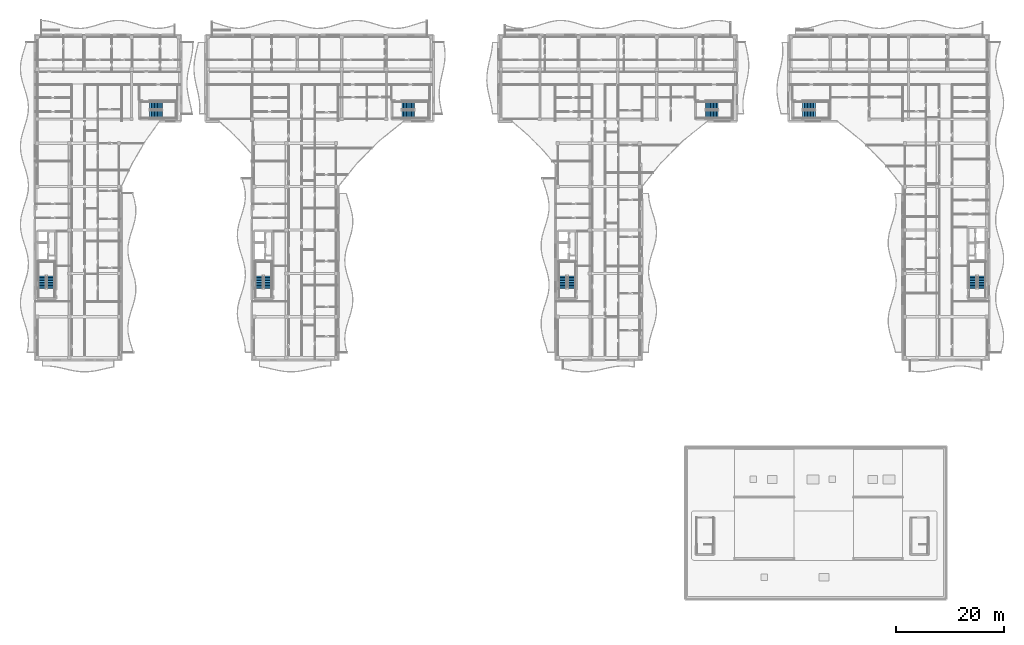
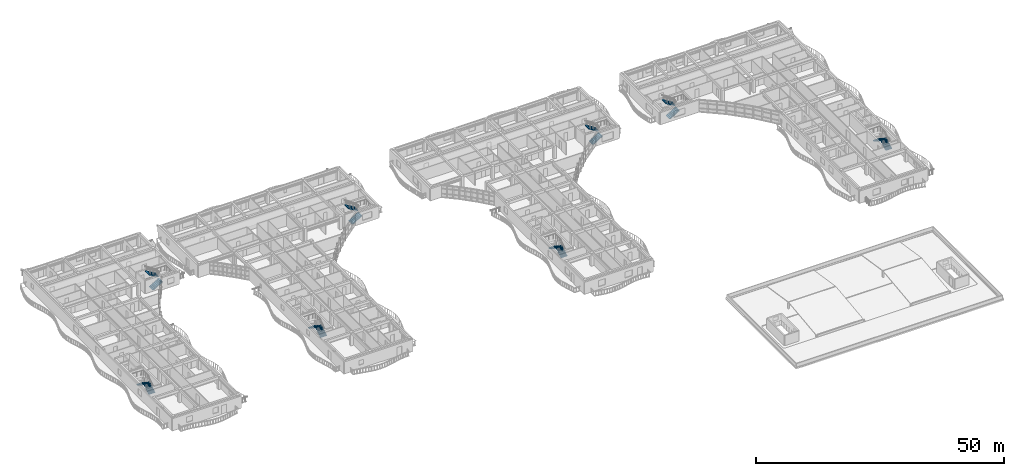
# One storey, part 55 of 79: 16 stair flights, 8 elements without a shape of their own.
"""IFC4 building model written with IfcOpenShell, lengths in metres."""

from ifc_helpers import new_model, si_unit, direction, frame, origin, place, context, subcontext, project, spatial, polyline, outline, extrude, material, type_object, element, aggregate, save


model = new_model("IFC4")

# Units and contexts
model_context = context("Model", 3, precision=1e-05, world=origin(), true_north=direction((0.0, 1.0)))
body_context = subcontext(model_context, "Body", "Model", "MODEL_VIEW")
ifc_project = project(units=[si_unit("LENGTHUNIT", "METRE"), si_unit("AREAUNIT", "SQUARE_METRE"), si_unit("VOLUMEUNIT", "CUBIC_METRE"), si_unit("PLANEANGLEUNIT", "RADIAN"), si_unit("MASSUNIT", "GRAM", prefix="KILO")], contexts=[model_context])

# Site, building, storey
site_placement = place(None, origin())
site = spatial("IfcSite", under=ifc_project, at=site_placement, CompositionType="ELEMENT")
building_placement = place(site_placement, origin())
building = spatial("IfcBuilding", under=site, at=building_placement, Name="Keldmere Railside Commons", CompositionType="ELEMENT")
storey_placement = place(building_placement, frame((0.0, 0.0, 10.56005859375)))
storey = spatial("IfcBuildingStorey", under=building, at=storey_placement, Name="L03", CompositionType="ELEMENT", Elevation=10.56005859375)

# Stair, stair flights
ifc_material = material(Name="Concrete H-30 (C30/37)", Category="concrete")
stair_type_1 = type_object("IfcStairType", Name="Basement Garage Dogleg Escape Stair 1450", PredefinedType="HALF_TURN_STAIR", material=ifc_material)
stair_1_placement = place(storey_placement, origin())
stair_1 = element("IfcStair", 1, at=stair_1_placement, inside=storey, type_object=stair_type_1, Name="L03 Block B Primary Escape Stair 1", PredefinedType="HALF_TURN_STAIR")
stair_flight_type_1 = type_object("IfcStairFlightType", Name="Basement Escape Stair Flight 1450", PredefinedType="STRAIGHT", material=ifc_material)
stair_flight_1_placement = place(storey_placement, frame((106.97509765625, 69.199951171875, 0.0), z_axis=(0.0, 0.0, 1.0), x_axis=(0.0, 1.0, 0.0)))
stair_flight_1 = element("IfcStairFlight", 2, at=stair_flight_1_placement, type_object=stair_flight_type_1, Name="ST-B1 flight 1", NumberOfRisers=9, NumberOfTreads=8, PredefinedType="STRAIGHT", RiserHeight=0.177777778, TreadLength=0.29, context=body_context, shape_type="SweptSolid", body=[
    extrude(outline(polyline([(0.0, 0.0), (0.0, 0.177734375), (0.2900390625, 0.177734375), (0.2900390625, 0.35546875), (0.580078125, 0.35546875), (0.580078125, 0.533447265625), (0.8701171875, 0.533447265625), (0.8701171875, 0.711181640625), (1.159912109375, 0.711181640625), (1.159912109375, 0.888916015625), (1.449951171875, 0.888916015625), (1.449951171875, 1.066650390625), (1.739990234375, 1.066650390625), (1.739990234375, 1.244384765625), (2.030029296875, 1.244384765625), (2.030029296875, 1.422119140625), (2.320068359375, 1.422119140625), (2.320068359375, 1.60009765625), (2.320068359375, 1.211181640625), (0.34423828125, 0.0), (0.0, 0.0)])), frame((0.0, 0.72509765625, 0.0), z_axis=(0.0, -1.0, 0.0), x_axis=(1.0, 0.0, 0.0)), (0.0, 0.0, 1.0), 1.449951171875),
])
stair_flight_2_placement = place(storey_placement, frame((105.375, 71.52001953125, 1.599853515625), z_axis=(0.0, 0.0, 1.0), x_axis=(0.0, -1.0, 0.0)))
stair_flight_2 = element("IfcStairFlight", 3, at=stair_flight_2_placement, type_object=stair_flight_type_1, Name="ST-B1 flight 2", NumberOfRisers=9, NumberOfTreads=8, PredefinedType="STRAIGHT", RiserHeight=0.177777778, TreadLength=0.29, context=body_context, shape_type="SweptSolid", body=[
    extrude(outline(polyline([(0.0, 0.0), (0.0, 0.177734375), (0.2900390625, 0.177734375), (0.2900390625, 0.35546875), (0.580078125, 0.35546875), (0.580078125, 0.533447265625), (0.8701171875, 0.533447265625), (0.8701171875, 0.711181640625), (1.159912109375, 0.711181640625), (1.159912109375, 0.888916015625), (1.449951171875, 0.888916015625), (1.449951171875, 1.066650390625), (1.739990234375, 1.066650390625), (1.739990234375, 1.244384765625), (2.030029296875, 1.244384765625), (2.030029296875, 1.422119140625), (2.320068359375, 1.422119140625), (2.320068359375, 1.60009765625), (2.320068359375, 1.211181640625), (0.34423828125, 0.0), (0.0, 0.0)])), frame((0.0, 0.72509765625, 0.0), z_axis=(0.0, -1.0, 0.0), x_axis=(1.0, 0.0, 0.0)), (0.0, 0.0, 1.0), 1.449951171875),
])
aggregate(stair_1, [stair_flight_1, stair_flight_2])

stair_2_placement = place(storey_placement, origin())
stair_2 = element("IfcStair", 4, at=stair_2_placement, inside=storey, type_object=stair_type_1, Name="L03 Block B Secondary Escape Stair 2", PredefinedType="HALF_TURN_STAIR")
stair_flight_3_placement = place(storey_placement, frame((131.699951171875, 101.324951171875, 0.0), z_axis=(0.0, 0.0, 1.0), x_axis=(1.0, 0.0, 0.0)))
stair_flight_3 = element("IfcStairFlight", 5, at=stair_flight_3_placement, type_object=stair_flight_type_1, Name="ST-B2 flight 1", NumberOfRisers=9, NumberOfTreads=8, PredefinedType="STRAIGHT", RiserHeight=0.177777778, TreadLength=0.29, context=body_context, shape_type="SweptSolid", body=[
    extrude(outline(polyline([(0.0, 0.0), (0.0, 0.177734375), (0.2900390625, 0.177734375), (0.2900390625, 0.35546875), (0.580078125, 0.35546875), (0.580078125, 0.533447265625), (0.8701171875, 0.533447265625), (0.8701171875, 0.711181640625), (1.159912109375, 0.711181640625), (1.159912109375, 0.888916015625), (1.449951171875, 0.888916015625), (1.449951171875, 1.066650390625), (1.739990234375, 1.066650390625), (1.739990234375, 1.244384765625), (2.030029296875, 1.244384765625), (2.030029296875, 1.422119140625), (2.320068359375, 1.422119140625), (2.320068359375, 1.60009765625), (2.320068359375, 1.211181640625), (0.34423828125, 0.0), (0.0, 0.0)])), frame((0.0, 0.72509765625, 0.0), z_axis=(0.0, -1.0, 0.0), x_axis=(1.0, 0.0, 0.0)), (0.0, 0.0, 1.0), 1.449951171875),
])
stair_flight_4_placement = place(storey_placement, frame((134.02001953125, 102.925048828125, 1.599853515625), z_axis=(0.0, 0.0, 1.0), x_axis=(-1.0, 0.0, 0.0)))
stair_flight_4 = element("IfcStairFlight", 6, at=stair_flight_4_placement, type_object=stair_flight_type_1, Name="ST-B2 flight 2", NumberOfRisers=9, NumberOfTreads=8, PredefinedType="STRAIGHT", RiserHeight=0.177777778, TreadLength=0.29, context=body_context, shape_type="SweptSolid", body=[
    extrude(outline(polyline([(0.0, 0.0), (0.0, 0.177734375), (0.2900390625, 0.177734375), (0.2900390625, 0.35546875), (0.580078125, 0.35546875), (0.580078125, 0.533447265625), (0.8701171875, 0.533447265625), (0.8701171875, 0.711181640625), (1.159912109375, 0.711181640625), (1.159912109375, 0.888916015625), (1.449951171875, 0.888916015625), (1.449951171875, 1.066650390625), (1.739990234375, 1.066650390625), (1.739990234375, 1.244384765625), (2.030029296875, 1.244384765625), (2.030029296875, 1.422119140625), (2.320068359375, 1.422119140625), (2.320068359375, 1.60009765625), (2.320068359375, 1.211181640625), (0.34423828125, 0.0), (0.0, 0.0)])), frame((0.0, 0.72509765625, 0.0), z_axis=(0.0, -1.0, 0.0), x_axis=(1.0, 0.0, 0.0)), (0.0, 0.0, 1.0), 1.449951171875),
])
aggregate(stair_2, [stair_flight_3, stair_flight_4])

stair_type_2 = type_object("IfcStairType", Name="Residential Core Dogleg Stair 1450", PredefinedType="HALF_TURN_STAIR", material=ifc_material)
stair_3_placement = place(storey_placement, origin())
stair_3 = element("IfcStair", 7, at=stair_3_placement, inside=storey, type_object=stair_type_2, Name="L03 Block D Primary Escape Stair 1", PredefinedType="HALF_TURN_STAIR")
stair_flight_type_2 = type_object("IfcStairFlightType", Name="Residential Core Stair Flight 1450", PredefinedType="STRAIGHT", material=ifc_material)
stair_flight_5_placement = place(storey_placement, frame((10.97509765625, 69.199951171875, 0.0), z_axis=(0.0, 0.0, 1.0), x_axis=(0.0, 1.0, 0.0)))
stair_flight_5 = element("IfcStairFlight", 8, at=stair_flight_5_placement, type_object=stair_flight_type_2, Name="ST-D1 flight 1", NumberOfRisers=9, NumberOfTreads=8, PredefinedType="STRAIGHT", RiserHeight=0.177777778, TreadLength=0.29, context=body_context, shape_type="SweptSolid", body=[
    extrude(outline(polyline([(0.0, 0.0), (0.0, 0.177734375), (0.2900390625, 0.177734375), (0.2900390625, 0.35546875), (0.580078125, 0.35546875), (0.580078125, 0.533447265625), (0.8701171875, 0.533447265625), (0.8701171875, 0.711181640625), (1.159912109375, 0.711181640625), (1.159912109375, 0.888916015625), (1.449951171875, 0.888916015625), (1.449951171875, 1.066650390625), (1.739990234375, 1.066650390625), (1.739990234375, 1.244384765625), (2.030029296875, 1.244384765625), (2.030029296875, 1.422119140625), (2.320068359375, 1.422119140625), (2.320068359375, 1.60009765625), (2.320068359375, 1.211181640625), (0.34423828125, 0.0), (0.0, 0.0)])), frame((0.0, 0.72509765625, 0.0), z_axis=(0.0, -1.0, 0.0), x_axis=(1.0, 0.0, 0.0)), (0.0, 0.0, 1.0), 1.449951171875),
])
stair_flight_6_placement = place(storey_placement, frame((9.375, 71.52001953125, 1.599853515625), z_axis=(0.0, 0.0, 1.0), x_axis=(0.0, -1.0, 0.0)))
stair_flight_6 = element("IfcStairFlight", 9, at=stair_flight_6_placement, type_object=stair_flight_type_2, Name="ST-D1 flight 2", NumberOfRisers=9, NumberOfTreads=8, PredefinedType="STRAIGHT", RiserHeight=0.177777778, TreadLength=0.29, context=body_context, shape_type="SweptSolid", body=[
    extrude(outline(polyline([(0.0, 0.0), (0.0, 0.177734375), (0.2900390625, 0.177734375), (0.2900390625, 0.35546875), (0.580078125, 0.35546875), (0.580078125, 0.533447265625), (0.8701171875, 0.533447265625), (0.8701171875, 0.711181640625), (1.159912109375, 0.711181640625), (1.159912109375, 0.888916015625), (1.449951171875, 0.888916015625), (1.449951171875, 1.066650390625), (1.739990234375, 1.066650390625), (1.739990234375, 1.244384765625), (2.030029296875, 1.244384765625), (2.030029296875, 1.422119140625), (2.320068359375, 1.422119140625), (2.320068359375, 1.60009765625), (2.320068359375, 1.211181640625), (0.34423828125, 0.0), (0.0, 0.0)])), frame((0.0, 0.72509765625, 0.0), z_axis=(0.0, -1.0, 0.0), x_axis=(1.0, 0.0, 0.0)), (0.0, 0.0, 1.0), 1.449951171875),
])
aggregate(stair_3, [stair_flight_5, stair_flight_6])

stair_4_placement = place(storey_placement, origin())
stair_4 = element("IfcStair", 10, at=stair_4_placement, inside=storey, type_object=stair_type_2, Name="L03 Block D Secondary Escape Stair 2", PredefinedType="HALF_TURN_STAIR")
stair_flight_7_placement = place(storey_placement, frame((29.199951171875, 101.324951171875, 0.0), z_axis=(0.0, 0.0, 1.0), x_axis=(1.0, 0.0, 0.0)))
stair_flight_7 = element("IfcStairFlight", 11, at=stair_flight_7_placement, type_object=stair_flight_type_2, Name="ST-D2 flight 1", NumberOfRisers=9, NumberOfTreads=8, PredefinedType="STRAIGHT", RiserHeight=0.177777778, TreadLength=0.29, context=body_context, shape_type="SweptSolid", body=[
    extrude(outline(polyline([(0.0, 0.0), (0.0, 0.177734375), (0.2900390625, 0.177734375), (0.2900390625, 0.35546875), (0.580078125, 0.35546875), (0.580078125, 0.533447265625), (0.8701171875, 0.533447265625), (0.8701171875, 0.711181640625), (1.159912109375, 0.711181640625), (1.159912109375, 0.888916015625), (1.449951171875, 0.888916015625), (1.449951171875, 1.066650390625), (1.739990234375, 1.066650390625), (1.739990234375, 1.244384765625), (2.030029296875, 1.244384765625), (2.030029296875, 1.422119140625), (2.320068359375, 1.422119140625), (2.320068359375, 1.60009765625), (2.320068359375, 1.211181640625), (0.34423828125, 0.0), (0.0, 0.0)])), frame((0.0, 0.72509765625, 0.0), z_axis=(0.0, -1.0, 0.0), x_axis=(1.0, 0.0, 0.0)), (0.0, 0.0, 1.0), 1.449951171875),
])
stair_flight_8_placement = place(storey_placement, frame((31.52001953125, 102.925048828125, 1.599853515625), z_axis=(0.0, 0.0, 1.0), x_axis=(-1.0, 0.0, 0.0)))
stair_flight_8 = element("IfcStairFlight", 12, at=stair_flight_8_placement, type_object=stair_flight_type_2, Name="ST-D2 flight 2", NumberOfRisers=9, NumberOfTreads=8, PredefinedType="STRAIGHT", RiserHeight=0.177777778, TreadLength=0.29, context=body_context, shape_type="SweptSolid", body=[
    extrude(outline(polyline([(0.0, 0.0), (0.0, 0.177734375), (0.2900390625, 0.177734375), (0.2900390625, 0.35546875), (0.580078125, 0.35546875), (0.580078125, 0.533447265625), (0.8701171875, 0.533447265625), (0.8701171875, 0.711181640625), (1.159912109375, 0.711181640625), (1.159912109375, 0.888916015625), (1.449951171875, 0.888916015625), (1.449951171875, 1.066650390625), (1.739990234375, 1.066650390625), (1.739990234375, 1.244384765625), (2.030029296875, 1.244384765625), (2.030029296875, 1.422119140625), (2.320068359375, 1.422119140625), (2.320068359375, 1.60009765625), (2.320068359375, 1.211181640625), (0.34423828125, 0.0), (0.0, 0.0)])), frame((0.0, 0.72509765625, 0.0), z_axis=(0.0, -1.0, 0.0), x_axis=(1.0, 0.0, 0.0)), (0.0, 0.0, 1.0), 1.449951171875),
])
aggregate(stair_4, [stair_flight_7, stair_flight_8])

stair_5_placement = place(storey_placement, origin())
stair_5 = element("IfcStair", 13, at=stair_5_placement, inside=storey, type_object=stair_type_2, Name="L03 Block C Primary Escape Stair 1", PredefinedType="HALF_TURN_STAIR")
stair_flight_9_placement = place(storey_placement, frame((50.97509765625, 69.199951171875, 0.0), z_axis=(0.0, 0.0, 1.0), x_axis=(0.0, 1.0, 0.0)))
stair_flight_9 = element("IfcStairFlight", 14, at=stair_flight_9_placement, type_object=stair_flight_type_2, Name="ST-C1 flight 1", NumberOfRisers=9, NumberOfTreads=8, PredefinedType="STRAIGHT", RiserHeight=0.177777778, TreadLength=0.29, context=body_context, shape_type="SweptSolid", body=[
    extrude(outline(polyline([(0.0, 0.0), (0.0, 0.177734375), (0.2900390625, 0.177734375), (0.2900390625, 0.35546875), (0.580078125, 0.35546875), (0.580078125, 0.533447265625), (0.8701171875, 0.533447265625), (0.8701171875, 0.711181640625), (1.159912109375, 0.711181640625), (1.159912109375, 0.888916015625), (1.449951171875, 0.888916015625), (1.449951171875, 1.066650390625), (1.739990234375, 1.066650390625), (1.739990234375, 1.244384765625), (2.030029296875, 1.244384765625), (2.030029296875, 1.422119140625), (2.320068359375, 1.422119140625), (2.320068359375, 1.60009765625), (2.320068359375, 1.211181640625), (0.34423828125, 0.0), (0.0, 0.0)])), frame((0.0, 0.72509765625, 0.0), z_axis=(0.0, -1.0, 0.0), x_axis=(1.0, 0.0, 0.0)), (0.0, 0.0, 1.0), 1.449951171875),
])
stair_flight_10_placement = place(storey_placement, frame((49.375, 71.52001953125, 1.599853515625), z_axis=(0.0, 0.0, 1.0), x_axis=(0.0, -1.0, 0.0)))
stair_flight_10 = element("IfcStairFlight", 15, at=stair_flight_10_placement, type_object=stair_flight_type_2, Name="ST-C1 flight 2", NumberOfRisers=9, NumberOfTreads=8, PredefinedType="STRAIGHT", RiserHeight=0.177777778, TreadLength=0.29, context=body_context, shape_type="SweptSolid", body=[
    extrude(outline(polyline([(0.0, 0.0), (0.0, 0.177734375), (0.2900390625, 0.177734375), (0.2900390625, 0.35546875), (0.580078125, 0.35546875), (0.580078125, 0.533447265625), (0.8701171875, 0.533447265625), (0.8701171875, 0.711181640625), (1.159912109375, 0.711181640625), (1.159912109375, 0.888916015625), (1.449951171875, 0.888916015625), (1.449951171875, 1.066650390625), (1.739990234375, 1.066650390625), (1.739990234375, 1.244384765625), (2.030029296875, 1.244384765625), (2.030029296875, 1.422119140625), (2.320068359375, 1.422119140625), (2.320068359375, 1.60009765625), (2.320068359375, 1.211181640625), (0.34423828125, 0.0), (0.0, 0.0)])), frame((0.0, 0.72509765625, 0.0), z_axis=(0.0, -1.0, 0.0), x_axis=(1.0, 0.0, 0.0)), (0.0, 0.0, 1.0), 1.449951171875),
])
aggregate(stair_5, [stair_flight_9, stair_flight_10])

stair_6_placement = place(storey_placement, origin())
stair_6 = element("IfcStair", 16, at=stair_6_placement, inside=storey, type_object=stair_type_2, Name="L03 Block C Secondary Escape Stair 2", PredefinedType="HALF_TURN_STAIR")
stair_flight_11_placement = place(storey_placement, frame((75.699951171875, 101.324951171875, 0.0), z_axis=(0.0, 0.0, 1.0), x_axis=(1.0, 0.0, 0.0)))
stair_flight_11 = element("IfcStairFlight", 17, at=stair_flight_11_placement, type_object=stair_flight_type_2, Name="ST-C2 flight 1", NumberOfRisers=9, NumberOfTreads=8, PredefinedType="STRAIGHT", RiserHeight=0.177777778, TreadLength=0.29, context=body_context, shape_type="SweptSolid", body=[
    extrude(outline(polyline([(0.0, 0.0), (0.0, 0.177734375), (0.2900390625, 0.177734375), (0.2900390625, 0.35546875), (0.580078125, 0.35546875), (0.580078125, 0.533447265625), (0.8701171875, 0.533447265625), (0.8701171875, 0.711181640625), (1.159912109375, 0.711181640625), (1.159912109375, 0.888916015625), (1.449951171875, 0.888916015625), (1.449951171875, 1.066650390625), (1.739990234375, 1.066650390625), (1.739990234375, 1.244384765625), (2.030029296875, 1.244384765625), (2.030029296875, 1.422119140625), (2.320068359375, 1.422119140625), (2.320068359375, 1.60009765625), (2.320068359375, 1.211181640625), (0.34423828125, 0.0), (0.0, 0.0)])), frame((0.0, 0.72509765625, 0.0), z_axis=(0.0, -1.0, 0.0), x_axis=(1.0, 0.0, 0.0)), (0.0, 0.0, 1.0), 1.449951171875),
])
stair_flight_12_placement = place(storey_placement, frame((78.02001953125, 102.925048828125, 1.599853515625), z_axis=(0.0, 0.0, 1.0), x_axis=(-1.0, 0.0, 0.0)))
stair_flight_12 = element("IfcStairFlight", 18, at=stair_flight_12_placement, type_object=stair_flight_type_2, Name="ST-C2 flight 2", NumberOfRisers=9, NumberOfTreads=8, PredefinedType="STRAIGHT", RiserHeight=0.177777778, TreadLength=0.29, context=body_context, shape_type="SweptSolid", body=[
    extrude(outline(polyline([(0.0, 0.0), (0.0, 0.177734375), (0.2900390625, 0.177734375), (0.2900390625, 0.35546875), (0.580078125, 0.35546875), (0.580078125, 0.533447265625), (0.8701171875, 0.533447265625), (0.8701171875, 0.711181640625), (1.159912109375, 0.711181640625), (1.159912109375, 0.888916015625), (1.449951171875, 0.888916015625), (1.449951171875, 1.066650390625), (1.739990234375, 1.066650390625), (1.739990234375, 1.244384765625), (2.030029296875, 1.244384765625), (2.030029296875, 1.422119140625), (2.320068359375, 1.422119140625), (2.320068359375, 1.60009765625), (2.320068359375, 1.211181640625), (0.34423828125, 0.0), (0.0, 0.0)])), frame((0.0, 0.72509765625, 0.0), z_axis=(0.0, -1.0, 0.0), x_axis=(1.0, 0.0, 0.0)), (0.0, 0.0, 1.0), 1.449951171875),
])
aggregate(stair_6, [stair_flight_11, stair_flight_12])

stair_7_placement = place(storey_placement, origin())
stair_7 = element("IfcStair", 19, at=stair_7_placement, inside=storey, type_object=stair_type_2, Name="L03 Block A Primary Escape Stair 1", PredefinedType="HALF_TURN_STAIR")
stair_flight_13_placement = place(storey_placement, frame((182.574951171875, 69.199951171875, 0.0), z_axis=(0.0, 0.0, 1.0), x_axis=(0.0, 1.0, 0.0)))
stair_flight_13 = element("IfcStairFlight", 20, at=stair_flight_13_placement, type_object=stair_flight_type_2, Name="ST-A1 flight 1", NumberOfRisers=9, NumberOfTreads=8, PredefinedType="STRAIGHT", RiserHeight=0.177777778, TreadLength=0.29, context=body_context, shape_type="SweptSolid", body=[
    extrude(outline(polyline([(0.0, 0.0), (0.0, 0.177734375), (0.2900390625, 0.177734375), (0.2900390625, 0.35546875), (0.580078125, 0.35546875), (0.580078125, 0.533447265625), (0.8701171875, 0.533447265625), (0.8701171875, 0.711181640625), (1.159912109375, 0.711181640625), (1.159912109375, 0.888916015625), (1.449951171875, 0.888916015625), (1.449951171875, 1.066650390625), (1.739990234375, 1.066650390625), (1.739990234375, 1.244384765625), (2.030029296875, 1.244384765625), (2.030029296875, 1.422119140625), (2.320068359375, 1.422119140625), (2.320068359375, 1.60009765625), (2.320068359375, 1.211181640625), (0.34423828125, 0.0), (0.0, 0.0)])), frame((0.0, 0.72509765625, 0.0), z_axis=(0.0, -1.0, 0.0), x_axis=(1.0, 0.0, 0.0)), (0.0, 0.0, 1.0), 1.449951171875),
])
stair_flight_14_placement = place(storey_placement, frame((180.97509765625, 71.52001953125, 1.599853515625), z_axis=(0.0, 0.0, 1.0), x_axis=(0.0, -1.0, 0.0)))
stair_flight_14 = element("IfcStairFlight", 21, at=stair_flight_14_placement, type_object=stair_flight_type_2, Name="ST-A1 flight 2", NumberOfRisers=9, NumberOfTreads=8, PredefinedType="STRAIGHT", RiserHeight=0.177777778, TreadLength=0.29, context=body_context, shape_type="SweptSolid", body=[
    extrude(outline(polyline([(0.0, 0.0), (0.0, 0.177734375), (0.2900390625, 0.177734375), (0.2900390625, 0.35546875), (0.580078125, 0.35546875), (0.580078125, 0.533447265625), (0.8701171875, 0.533447265625), (0.8701171875, 0.711181640625), (1.159912109375, 0.711181640625), (1.159912109375, 0.888916015625), (1.449951171875, 0.888916015625), (1.449951171875, 1.066650390625), (1.739990234375, 1.066650390625), (1.739990234375, 1.244384765625), (2.030029296875, 1.244384765625), (2.030029296875, 1.422119140625), (2.320068359375, 1.422119140625), (2.320068359375, 1.60009765625), (2.320068359375, 1.211181640625), (0.34423828125, 0.0), (0.0, 0.0)])), frame((0.0, 0.72509765625, 0.0), z_axis=(0.0, -1.0, 0.0), x_axis=(1.0, 0.0, 0.0)), (0.0, 0.0, 1.0), 1.449951171875),
])
aggregate(stair_7, [stair_flight_13, stair_flight_14])

stair_8_placement = place(storey_placement, origin())
stair_8 = element("IfcStair", 22, at=stair_8_placement, inside=storey, type_object=stair_type_2, Name="L03 Block A Secondary Escape Stair 2", PredefinedType="HALF_TURN_STAIR")
stair_flight_15_placement = place(storey_placement, frame((149.60009765625, 101.324951171875, 0.0), z_axis=(0.0, 0.0, 1.0), x_axis=(1.0, 0.0, 0.0)))
stair_flight_15 = element("IfcStairFlight", 23, at=stair_flight_15_placement, type_object=stair_flight_type_2, Name="ST-A2 flight 1", NumberOfRisers=9, NumberOfTreads=8, PredefinedType="STRAIGHT", RiserHeight=0.177777778, TreadLength=0.29, context=body_context, shape_type="SweptSolid", body=[
    extrude(outline(polyline([(0.0, 0.0), (0.0, 0.177734375), (0.2900390625, 0.177734375), (0.2900390625, 0.35546875), (0.580078125, 0.35546875), (0.580078125, 0.533447265625), (0.8701171875, 0.533447265625), (0.8701171875, 0.711181640625), (1.159912109375, 0.711181640625), (1.159912109375, 0.888916015625), (1.449951171875, 0.888916015625), (1.449951171875, 1.066650390625), (1.739990234375, 1.066650390625), (1.739990234375, 1.244384765625), (2.030029296875, 1.244384765625), (2.030029296875, 1.422119140625), (2.320068359375, 1.422119140625), (2.320068359375, 1.60009765625), (2.320068359375, 1.211181640625), (0.34423828125, 0.0), (0.0, 0.0)])), frame((0.0, 0.72509765625, 0.0), z_axis=(0.0, -1.0, 0.0), x_axis=(1.0, 0.0, 0.0)), (0.0, 0.0, 1.0), 1.449951171875),
])
stair_flight_16_placement = place(storey_placement, frame((151.919921875, 102.925048828125, 1.599853515625), z_axis=(0.0, 0.0, 1.0), x_axis=(-1.0, 0.0, 0.0)))
stair_flight_16 = element("IfcStairFlight", 24, at=stair_flight_16_placement, type_object=stair_flight_type_2, Name="ST-A2 flight 2", NumberOfRisers=9, NumberOfTreads=8, PredefinedType="STRAIGHT", RiserHeight=0.177777778, TreadLength=0.29, context=body_context, shape_type="SweptSolid", body=[
    extrude(outline(polyline([(0.0, 0.0), (0.0, 0.177734375), (0.2900390625, 0.177734375), (0.2900390625, 0.35546875), (0.580078125, 0.35546875), (0.580078125, 0.533447265625), (0.8701171875, 0.533447265625), (0.8701171875, 0.711181640625), (1.159912109375, 0.711181640625), (1.159912109375, 0.888916015625), (1.449951171875, 0.888916015625), (1.449951171875, 1.066650390625), (1.739990234375, 1.066650390625), (1.739990234375, 1.244384765625), (2.030029296875, 1.244384765625), (2.030029296875, 1.422119140625), (2.320068359375, 1.422119140625), (2.320068359375, 1.60009765625), (2.320068359375, 1.211181640625), (0.34423828125, 0.0), (0.0, 0.0)])), frame((0.0, 0.72509765625, 0.0), z_axis=(0.0, -1.0, 0.0), x_axis=(1.0, 0.0, 0.0)), (0.0, 0.0, 1.0), 1.449951171875),
])
aggregate(stair_8, [stair_flight_15, stair_flight_16])

save(model, "model.ifc")
